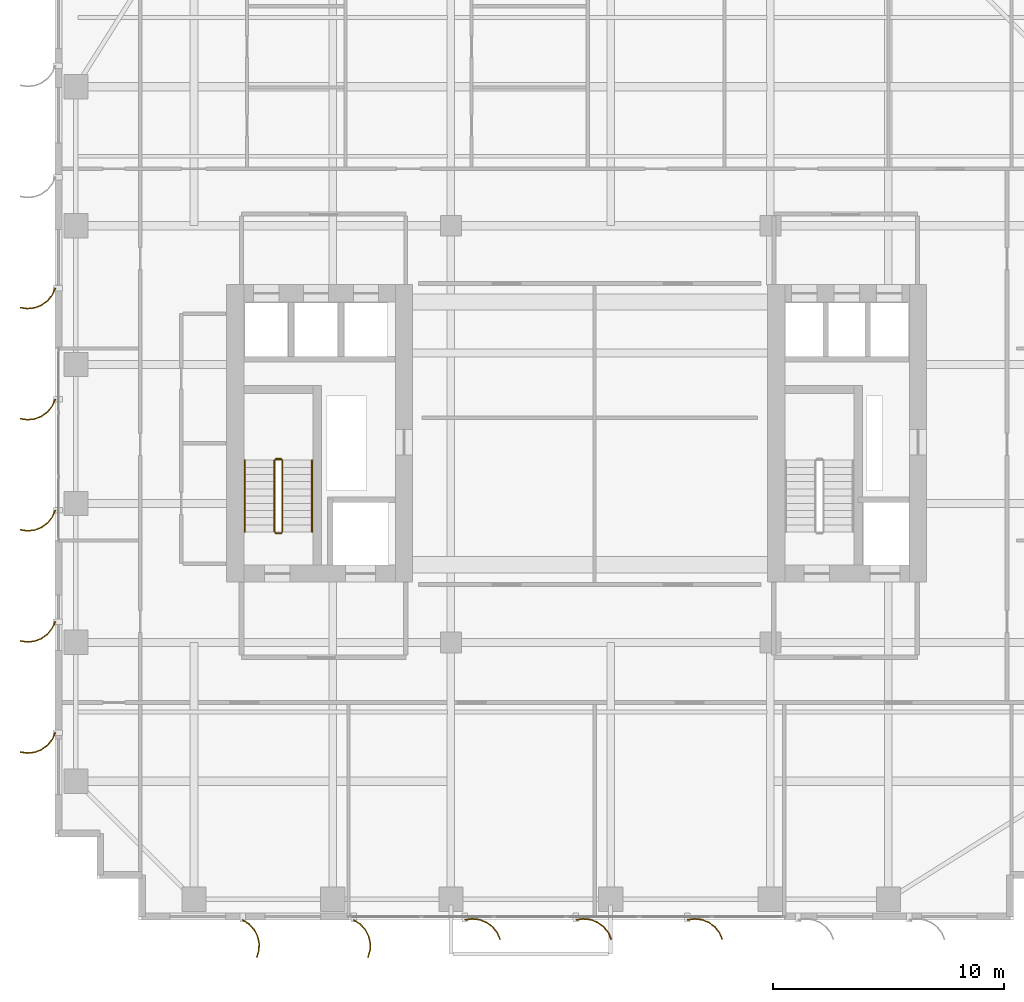
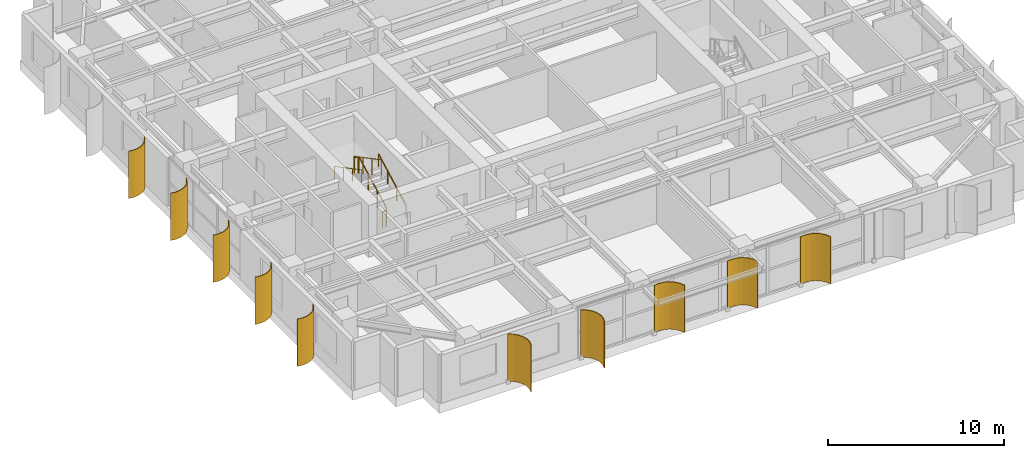
# One storey, part 21 of 23: 10 shading devices, 6 railings.
"""IFC4 building model written with IfcOpenShell, lengths in metres."""

from ifc_helpers import new_model, si_unit, direction, frame, origin, origin_2d, place, context, subcontext, project, spatial, polyline, circle, outline, extrude, source, transform, mapped, material, layer, layer_set, type_object, element, save


model = new_model("IFC4")

# Units and contexts
model_context = context("Model", 3, precision=1e-05, world=origin(), true_north=direction((0.0, 1.0)))
body_context = subcontext(model_context, "Body", "Model", "MODEL_VIEW")
ifc_project = project(units=[si_unit("LENGTHUNIT", "METRE"), si_unit("AREAUNIT", "SQUARE_METRE"), si_unit("VOLUMEUNIT", "CUBIC_METRE"), si_unit("PLANEANGLEUNIT", "RADIAN"), si_unit("MASSUNIT", "GRAM", prefix="KILO")], contexts=[model_context])

# Site, building, storey
site_placement = place(None, origin())
site = spatial("IfcSite", under=ifc_project, at=site_placement, CompositionType="ELEMENT")
building_placement = place(site_placement, origin())
building = spatial("IfcBuilding", under=site, at=building_placement, Name="Khoralis Quay Care Tower", CompositionType="ELEMENT")
storey_placement = place(building_placement, frame((0.0, 0.0, 83.699951171875)))
storey = spatial("IfcBuildingStorey", under=building, at=storey_placement, Name="L21", CompositionType="ELEMENT", Elevation=83.699951171875)

# Railings
ifc_material_1 = material(Name="Brushed stainless steel", Category="steel")
railing_type_1 = type_object("IfcRailingType", Name="RL-GUARD-1150", PredefinedType="GUARDRAIL", material=ifc_material_1)
railing_1_placement = place(storey_placement, frame((9.820068359375, 16.77001953125, 0.16357421875)))
element("IfcRailing", 1, at=railing_1_placement, inside=storey, type_object=railing_type_1, Name="L21 ST-T1 stair guard 1", PredefinedType="GUARDRAIL", context=body_context, shape_type="SweptSolid", body=[
    extrude(circle(Radius=0.02392578125, at=origin_2d()), frame((0.0, 0.0, 1.1259765625), z_axis=(0.0, 0.884348015382, 0.466828220752), x_axis=(-1.0, 0.0, 0.0)), (0.0, 0.0, 1.0), 3.505615234375),
    extrude(circle(Radius=0.02099609375, at=origin_2d()), origin(), (0.0, 0.0, 1.0), 1.101806640625),
    extrude(circle(Radius=0.02099609375, at=origin_2d()), frame((0.0, 1.033447265625, 0.54541015625)), (0.0, 0.0, 1.0), 1.101806640625),
    extrude(circle(Radius=0.02099609375, at=origin_2d()), frame((0.0, 2.066650390625, 1.091064453125)), (0.0, 0.0, 1.0), 1.101806640625),
    extrude(circle(Radius=0.02099609375, at=origin_2d()), frame((0.0, 3.10009765625, 1.636474609375)), (0.0, 0.0, 1.0), 1.101806640625),
])
railing_2_placement = place(storey_placement, frame((9.77001953125, 19.919921875, 1.800048828125)))
element("IfcRailing", 2, at=railing_2_placement, inside=storey, type_object=railing_type_1, Name="L21 ST-T1 stair guard 2", PredefinedType="GUARDRAIL", context=body_context, shape_type="SweptSolid", body=[
    extrude(circle(Radius=0.02392578125, at=origin_2d()), frame((0.0, 0.0, 1.1259765625), z_axis=(-1.0, 0.0, 0.0), x_axis=(0.0, -1.0, 0.0)), (0.0, 0.0, 1.0), 0.239990234375),
    extrude(circle(Radius=0.02099609375, at=origin_2d()), origin(), (0.0, 0.0, 1.0), 1.101806640625),
    extrude(circle(Radius=0.02099609375, at=origin_2d()), frame((-0.239990234375, 0.0, 0.0)), (0.0, 0.0, 1.0), 1.101806640625),
])
railing_3_placement = place(storey_placement, frame((9.47998046875, 19.8701171875, 1.963623046875)))
element("IfcRailing", 3, at=railing_3_placement, inside=storey, type_object=railing_type_1, Name="L21 ST-T1 stair guard 3", PredefinedType="GUARDRAIL", context=body_context, shape_type="SweptSolid", body=[
    extrude(circle(Radius=0.02392578125, at=origin_2d()), frame((0.0, 0.0, 1.1259765625), z_axis=(0.0, -0.884348015382, 0.466828220752), x_axis=(1.0, 0.0, 0.0)), (0.0, 0.0, 1.0), 3.505615234375),
    extrude(circle(Radius=0.02099609375, at=origin_2d()), origin(), (0.0, 0.0, 1.0), 1.101806640625),
    extrude(circle(Radius=0.02099609375, at=origin_2d()), frame((0.0, -1.033447265625, 0.54541015625)), (0.0, 0.0, 1.0), 1.101806640625),
    extrude(circle(Radius=0.02099609375, at=origin_2d()), frame((0.0, -2.066650390625, 1.091064453125)), (0.0, 0.0, 1.0), 1.101806640625),
    extrude(circle(Radius=0.02099609375, at=origin_2d()), frame((0.0, -3.10009765625, 1.636474609375)), (0.0, 0.0, 1.0), 1.101806640625),
])
railing_4_placement = place(storey_placement, frame((9.77001953125, 16.719970703125, 0.0)))
element("IfcRailing", 4, at=railing_4_placement, inside=storey, type_object=railing_type_1, Name="L21 ST-T1 stair guard 4", PredefinedType="GUARDRAIL", context=body_context, shape_type="SweptSolid", body=[
    extrude(circle(Radius=0.02392578125, at=origin_2d()), frame((0.0, 0.0, 1.1259765625), z_axis=(-1.0, 0.0, 0.0), x_axis=(0.0, -1.0, 0.0)), (0.0, 0.0, 1.0), 0.239990234375),
    extrude(circle(Radius=0.02099609375, at=origin_2d()), origin(), (0.0, 0.0, 1.0), 1.101806640625),
    extrude(circle(Radius=0.02099609375, at=origin_2d()), frame((-0.239990234375, 0.0, 0.0)), (0.0, 0.0, 1.0), 1.101806640625),
])
railing_type_2 = type_object("IfcRailingType", Name="RL-HAND-900", PredefinedType="HANDRAIL", material=ifc_material_1)
railing_5_placement = place(storey_placement, frame((11.10009765625, 16.77001953125, 0.16357421875)))
element("IfcRailing", 5, at=railing_5_placement, inside=storey, type_object=railing_type_2, Name="L21 ST-T1 stair handrail 1", PredefinedType="HANDRAIL", context=body_context, shape_type="SweptSolid", body=[
    extrude(circle(Radius=0.02392578125, at=origin_2d()), frame((0.0, 0.0, 0.8759765625), z_axis=(0.0, 0.884348015382, 0.466828220752), x_axis=(-1.0, 0.0, 0.0)), (0.0, 0.0, 1.0), 3.505615234375),
    extrude(circle(Radius=0.02099609375, at=origin_2d()), origin(), (0.0, 0.0, 1.0), 0.851806640625),
    extrude(circle(Radius=0.02099609375, at=origin_2d()), frame((0.0, 1.033447265625, 0.54541015625)), (0.0, 0.0, 1.0), 0.851806640625),
    extrude(circle(Radius=0.02099609375, at=origin_2d()), frame((0.0, 2.066650390625, 1.091064453125)), (0.0, 0.0, 1.0), 0.851806640625),
    extrude(circle(Radius=0.02099609375, at=origin_2d()), frame((0.0, 3.10009765625, 1.636474609375)), (0.0, 0.0, 1.0), 0.851806640625),
])
railing_6_placement = place(storey_placement, frame((8.199951171875, 19.8701171875, 1.963623046875)))
element("IfcRailing", 6, at=railing_6_placement, inside=storey, type_object=railing_type_2, Name="L21 ST-T1 stair handrail 2", PredefinedType="HANDRAIL", context=body_context, shape_type="SweptSolid", body=[
    extrude(circle(Radius=0.02392578125, at=origin_2d()), frame((0.0, 0.0, 0.8759765625), z_axis=(0.0, -0.884348015382, 0.466828220752), x_axis=(1.0, 0.0, 0.0)), (0.0, 0.0, 1.0), 3.505615234375),
    extrude(circle(Radius=0.02099609375, at=origin_2d()), origin(), (0.0, 0.0, 1.0), 0.851806640625),
    extrude(circle(Radius=0.02099609375, at=origin_2d()), frame((0.0, -1.033447265625, 0.54541015625)), (0.0, 0.0, 1.0), 0.851806640625),
    extrude(circle(Radius=0.02099609375, at=origin_2d()), frame((0.0, -2.066650390625, 1.091064453125)), (0.0, 0.0, 1.0), 0.851806640625),
    extrude(circle(Radius=0.02099609375, at=origin_2d()), frame((0.0, -3.10009765625, 1.636474609375)), (0.0, 0.0, 1.0), 0.851806640625),
])

# Shading devices
ifc_material_2 = material(Name="Brushed pale anodised aluminium", Category="aluminium")
ifc_layer = layer(ifc_material_2, 0.044921875)
ifc_layer_set = layer_set([ifc_layer], Name="Brushed pale anodised aluminium")
shading_device_type = type_object("IfcShadingDeviceType", Name="SHD-FIN-1250", PredefinedType="USERDEFINED", material=ifc_layer_set)
shared_shape_1 = source(origin(), body_context, "Body", "SweptSolid", [
    extrude(outline(polyline([(0.0, 0.0), (0.17041015625, 0.2783203125), (0.4072265625, 0.5029296875), (0.694091796875, 0.658447265625), (1.01123046875, 0.734619140625), (1.33740234375, 0.72607421875), (1.650390625, 0.633544921875), (1.632080078125, 0.59228515625), (1.330322265625, 0.681640625), (1.015869140625, 0.68994140625), (0.710205078125, 0.616455078125), (0.43359375, 0.466552734375), (0.20556640625, 0.25), (0.041015625, -0.018310546875), (0.0, 0.0)])), origin(), (0.0, 0.0, 1.0), 3.280029296875),
])
for number, where, z_axis, x_axis, name in (
    (7, (8.10009765625, 0.030029296875, 0.02001953125), (0.0, 0.0, 1.0), (0.0, -1.0, 0.0), "L21 Curved Solar Fin P1E0-01"),
    (8, (12.89990234375, 0.030029296875, 0.02001953125), (0.0, 0.0, 1.0), (0.0, -1.0, 0.0), "L21 Curved Solar Fin P1E0-02"),
):
    element("IfcShadingDevice", number, at=place(storey_placement, frame(where, z_axis=z_axis, x_axis=x_axis)), inside=storey, type_object=shading_device_type, Name=name, ObjectType="FIN", PredefinedType="USERDEFINED", context=body_context, shape_type="MappedRepresentation", body=[
        mapped(shared_shape_1, transform((0.0, 0.0, 0.0), scale=1.0)),
    ])
shared_shape_2 = source(origin(), body_context, "Body", "SweptSolid", [
    extrude(outline(polyline([(0.0, 0.0), (-0.04833984375, 0.32275390625), (-0.01123046875, 0.64697265625), (0.1083984375, 0.950439453125), (0.302490234375, 1.212890625), (0.557861328125, 1.416015625), (0.85693359375, 1.546142578125), (0.869384765625, 1.5029296875), (0.5810546875, 1.37744140625), (0.334716796875, 1.181640625), (0.147705078125, 0.9287109375), (0.032470703125, 0.635986328125), (-0.003173828125, 0.323486328125), (0.043212890625, 0.012451171875), (0.0, 0.0)])), origin(), (0.0, 0.0, 1.0), 3.280029296875),
])
for number, where, z_axis, x_axis, name in (
    (9, (17.699951171875, 0.030029296875, 0.02001953125), (0.0, 0.0, 1.0), (0.0, -1.0, 0.0), "L21 Curved Solar Fin P1E0-03"),
    (10, (22.5, 0.030029296875, 0.02001953125), (0.0, 0.0, 1.0), (0.0, -1.0, 0.0), "L21 Curved Solar Fin P1E0-04"),
    (11, (27.300048828125, 0.030029296875, 0.02001953125), (0.0, 0.0, 1.0), (0.0, -1.0, 0.0), "L21 Curved Solar Fin P1E0-05"),
):
    element("IfcShadingDevice", number, at=place(storey_placement, frame(where, z_axis=z_axis, x_axis=x_axis)), inside=storey, type_object=shading_device_type, Name=name, ObjectType="FIN", PredefinedType="USERDEFINED", context=body_context, shape_type="MappedRepresentation", body=[
        mapped(shared_shape_2, transform((0.0, 0.0, 0.0), scale=1.0)),
    ])
shared_shape_3 = source(origin(), body_context, "Body", "SweptSolid", [
    extrude(outline(polyline([(0.0, 0.0), (0.130126953125, 0.29931640625), (0.333251953125, 0.5546875), (0.595458984375, 0.748779296875), (0.899169921875, 0.868408203125), (1.223388671875, 0.9052734375), (1.546142578125, 0.85693359375), (1.53369140625, 0.813720703125), (1.22265625, 0.8603515625), (0.91015625, 0.82470703125), (0.617431640625, 0.70947265625), (0.364501953125, 0.522216796875), (0.168701171875, 0.276123046875), (0.043212890625, -0.012451171875), (0.0, 0.0)])), origin(), (0.0, 0.0, 1.0), 3.280029296875),
])
for number, where, z_axis, x_axis, name in (
    (12, (0.030029296875, 27.300048828125, 0.02001953125), (0.0, 0.0, 1.0), (-1.0, 0.0, 0.0), "L21 Curved Solar Fin P1E15-03"),
    (13, (0.030029296875, 22.5, 0.02001953125), (0.0, 0.0, 1.0), (-1.0, 0.0, 0.0), "L21 Curved Solar Fin P1E15-04"),
    (14, (0.030029296875, 17.699951171875, 0.02001953125), (0.0, 0.0, 1.0), (-1.0, 0.0, 0.0), "L21 Curved Solar Fin P1E15-05"),
    (15, (0.030029296875, 12.89990234375, 0.02001953125), (0.0, 0.0, 1.0), (-1.0, 0.0, 0.0), "L21 Curved Solar Fin P1E15-06"),
    (16, (0.030029296875, 8.10009765625, 0.02001953125), (0.0, 0.0, 1.0), (-1.0, 0.0, 0.0), "L21 Curved Solar Fin P1E15-07"),
):
    element("IfcShadingDevice", number, at=place(storey_placement, frame(where, z_axis=z_axis, x_axis=x_axis)), inside=storey, type_object=shading_device_type, Name=name, ObjectType="FIN", PredefinedType="USERDEFINED", context=body_context, shape_type="MappedRepresentation", body=[
        mapped(shared_shape_3, transform((0.0, 0.0, 0.0), scale=1.0)),
    ])

save(model, "model.ifc")
